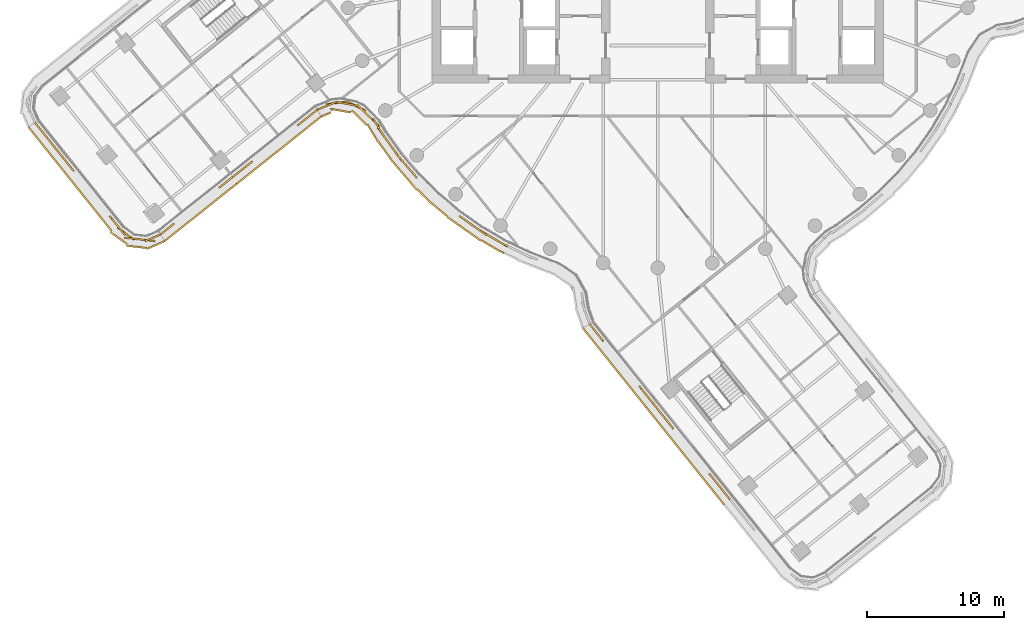
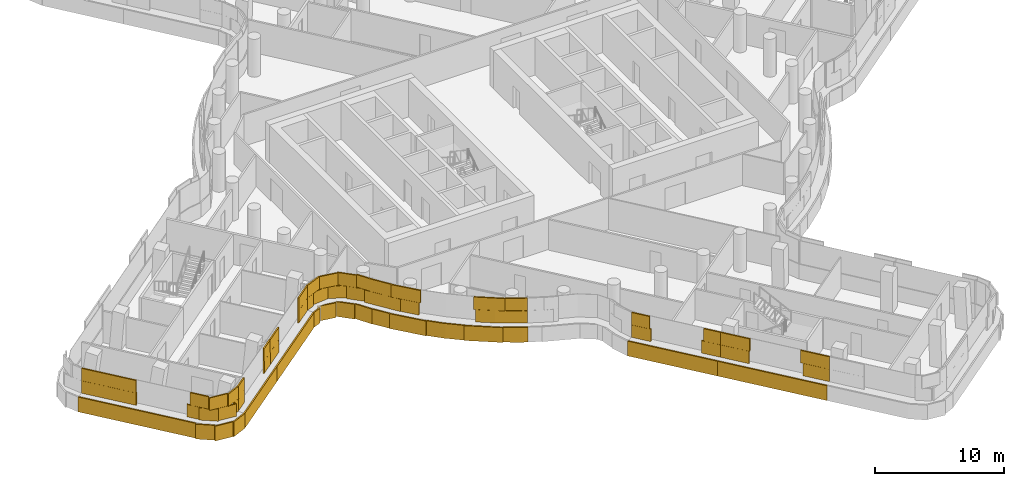
# One storey, part 25 of 31: 6 coverings.
"""IFC4 building model written with IfcOpenShell, lengths in metres."""

import ifcopenshell
import ifcopenshell.guid

model = None  # the IFC model being written
_history = None  # IfcOwnerHistory: only IFC2X3 demands one
_inside = {}  # id of a spatial element -> (the spatial element, [elements in it])
_under = {}  # id of a project, library or spatial element -> (it, [spatial elements below it])
_declared = {}  # id of a project -> (the project, [libraries it declares])
_typed = {}  # id of a type object -> (the type object, [elements of that type])
_made_of = {}  # id of a material, layer set ... -> (it, [elements and type objects made of it])


def new_model(schema):
    """Start an empty IFC model of exactly this schema.

    Asked for "IFC4X3", IfcOpenShell would pick the latest addendum, in which some entities
    have other attributes; the version numbers below select the first issue.
    IFC2X3 requires an IfcOwnerHistory on every rooted entity: one is made here for all.
    """
    global model, _history
    if schema == "IFC4X3":
        model = ifcopenshell.file(schema_version=(4, 3, 0, 0))
    else:
        model = ifcopenshell.file(schema=schema)
    _inside.clear()
    _under.clear()
    _declared.clear()
    _typed.clear()
    _made_of.clear()
    _history = None
    if model.schema == "IFC2X3":
        org = make("IfcOrganization", Name="unknown")
        user = make(
            "IfcPersonAndOrganization",
            ThePerson=make("IfcPerson", FamilyName="unknown"),
            TheOrganization=org,
        )
        app = make(
            "IfcApplication",
            ApplicationDeveloper=org,
            Version="unknown",
            ApplicationFullName="unknown",
            ApplicationIdentifier="unknown",
        )
        _history = make(
            "IfcOwnerHistory",
            OwningUser=user,
            OwningApplication=app,
            ChangeAction="ADDED",
            CreationDate=0,
        )
    return model


def make(cls, **values):
    """One entity of the class cls with the attributes given. An attribute that is None is left unset."""
    return model.create_entity(
        cls, **{name: value for name, value in values.items() if value is not None}
    )


def rooted(cls, **values):
    """An entity with a GlobalId (a new one), such as an element, a storey or a relation."""
    return make(cls, GlobalId=ifcopenshell.guid.new(), OwnerHistory=_history, **values)


def si_unit(unit_type, name, prefix=None):
    """IfcSIUnit, for example si_unit("LENGTHUNIT", "METRE", prefix="MILLI")."""
    return make("IfcSIUnit", UnitType=unit_type, Prefix=prefix, Name=name)


def assignment(units):
    """IfcUnitAssignment: the units of a project."""
    return None if units is None else make("IfcUnitAssignment", Units=units)


def point(xyz):
    """IfcCartesianPoint."""
    return None if xyz is None else make("IfcCartesianPoint", Coordinates=xyz)


def direction(xyz):
    """IfcDirection."""
    return None if xyz is None else make("IfcDirection", DirectionRatios=xyz)


def frame(location, z_axis=None, x_axis=None):
    """IfcAxis2Placement3D, a coordinate frame: its origin and axes. An axis left out is left unset."""
    return make(
        "IfcAxis2Placement3D",
        Location=point(location),
        Axis=direction(z_axis),
        RefDirection=direction(x_axis),
    )


def frame_2d(location, x_axis=None):
    """IfcAxis2Placement2D, a coordinate frame in the plane: its origin and x axis."""
    return make(
        "IfcAxis2Placement2D", Location=point(location), RefDirection=direction(x_axis)
    )


def origin():
    """The frame at (0, 0, 0) with its axes left unset."""
    return frame((0.0, 0.0, 0.0))


def origin_2d():
    """The frame at (0, 0) in the plane with its x axis left unset."""
    return frame_2d((0.0, 0.0))


def place(relative_to, where):
    """IfcLocalPlacement: puts the frame where relative to a parent placement (None: the world)."""
    return make(
        "IfcLocalPlacement", PlacementRelTo=relative_to, RelativePlacement=where
    )


def context(
    kind, dimensions, precision=None, world=None, true_north=None, identifier=None
):
    """IfcGeometricRepresentationContext, for example the 3D "Model" context."""
    return make(
        "IfcGeometricRepresentationContext",
        ContextIdentifier=identifier,
        ContextType=kind,
        CoordinateSpaceDimension=dimensions,
        Precision=precision,
        WorldCoordinateSystem=world,
        TrueNorth=true_north,
    )


def subcontext(parent, identifier, kind, view, scale=None):
    """IfcGeometricRepresentationSubContext, for example "Body" below "Model"."""
    return make(
        "IfcGeometricRepresentationSubContext",
        ContextIdentifier=identifier,
        ContextType=kind,
        ParentContext=parent,
        TargetScale=scale,
        TargetView=view,
    )


def project(units=None, contexts=None):
    """IfcProject with its units and contexts."""
    return rooted(
        "IfcProject",
        Name="project",
        RepresentationContexts=contexts,
        UnitsInContext=assignment(units),
    )


def spatial(cls, under=None, at=None, **own):
    """A site, building, storey or space (cls), placed at a placement, below another one or the project."""
    s = rooted(cls, ObjectPlacement=at, **own)
    if under is not None:
        _under.setdefault(under.id(), (under, []))[1].append(s)
    return s


def profile(cls, at=None, kind="AREA", **sizes):
    """A parametric profile (cls). Its sizes go by their IFC names, for example OverallWidth=200.0."""
    return make(cls, ProfileType=kind, Position=at, **sizes)


def rectangle(**sizes):
    """IfcRectangleProfileDef."""
    return profile("IfcRectangleProfileDef", **sizes)


def extrude(swept, where, along, depth):
    """IfcExtrudedAreaSolid: the profile swept, set in the frame where, extruded along a direction by depth."""
    return make(
        "IfcExtrudedAreaSolid",
        SweptArea=swept,
        Position=where,
        ExtrudedDirection=direction(along),
        Depth=depth,
    )


def shape(context_of_items, identifier, shape_type, items):
    """IfcShapeRepresentation: the items that make up one representation, for example the "Body"."""
    return make(
        "IfcShapeRepresentation",
        ContextOfItems=context_of_items,
        RepresentationIdentifier=identifier,
        RepresentationType=shape_type,
        Items=items,
    )


def material(Name=None, Category=None):
    """IfcMaterial."""
    return make("IfcMaterial", Name=Name, Category=Category)


def layer(
    of_material, thickness, ventilated=None, Name=None, Category=None, Priority=None
):
    """IfcMaterialLayer: one layer of a wall or slab, of a material (None: an air gap)."""
    return make(
        "IfcMaterialLayer",
        Material=of_material,
        LayerThickness=thickness,
        IsVentilated=ventilated,
        Name=Name,
        Category=Category,
        Priority=Priority,
    )


def layer_set(layers, Name=None):
    """IfcMaterialLayerSet."""
    return make("IfcMaterialLayerSet", MaterialLayers=layers, LayerSetName=Name)


def made_of(thing, what):
    """Note that an element or type object is made of a material, layer set ...; save() writes the relation."""
    if what is not None:
        _made_of.setdefault(what.id(), (what, []))[1].append(thing)
    return thing


def type_object(cls, material=None, **own):
    """A type object (cls), such as IfcWallType, which elements share."""
    return made_of(rooted(cls, **own), material)


def element(
    cls,
    number,
    at=None,
    inside=None,
    cuts=None,
    type_object=None,
    material=None,
    context=None,
    identifier="Body",
    shape_type=None,
    held_by="IfcProductDefinitionShape",
    body=None,
    shapes=None,
    **own,
):
    """One element of the class cls, such as IfcWall. Its Tag is "e" and its number.

    at: its placement. inside: the storey or other place that contains it. cuts: it is an
    opening in that element (IfcRelVoidsElement). A single representation is given by context,
    identifier, shape_type and body (its items); several are given by shapes. held_by: the class
    of the entity that holds the representations. save() writes the other relations.
    """
    e = rooted(cls, Tag="e%d" % number, ObjectPlacement=at, **own)
    if body is not None:
        shapes = [shape(context, identifier, shape_type, body)]
    if shapes is not None:
        e.Representation = make(held_by, Representations=shapes)
    if inside is not None:
        _inside.setdefault(inside.id(), (inside, []))[1].append(e)
    if cuts is not None:
        rooted(
            "IfcRelVoidsElement", RelatingBuildingElement=cuts, RelatedOpeningElement=e
        )
    if type_object is not None:
        _typed.setdefault(type_object.id(), (type_object, []))[1].append(e)
    return made_of(e, material)


def aggregate(whole, parts):
    """IfcRelAggregates: a whole, such as a stair, and the parts it consists of."""
    return rooted("IfcRelAggregates", RelatingObject=whole, RelatedObjects=parts)


def save(model, path):
    """Write the relations noted so far, then the file.

    IfcRelAggregates (storeys below a building ...), IfcRelContainedInSpatialStructure (elements
    in a storey), IfcRelDefinesByType, IfcRelAssociatesMaterial and IfcRelDeclares: one each for
    every whole, place, type object, material and project.
    """
    for whole, parts in _under.values():
        aggregate(whole, parts)
    for where, things in _inside.values():
        rooted(
            "IfcRelContainedInSpatialStructure",
            RelatedElements=things,
            RelatingStructure=where,
        )
    for kind, things in _typed.values():
        rooted("IfcRelDefinesByType", RelatedObjects=things, RelatingType=kind)
    for what, things in _made_of.values():
        rooted("IfcRelAssociatesMaterial", RelatedObjects=things, RelatingMaterial=what)
    for by, libraries in _declared.values():
        rooted("IfcRelDeclares", RelatingContext=by, RelatedDefinitions=libraries)
    model.write(path)


model = new_model("IFC4")

# Units and contexts
model_context = context("Model", 3, precision=1e-05, world=origin(), true_north=direction((0.0, 1.0)))
body_context = subcontext(model_context, "Body", "Model", "MODEL_VIEW")
ifc_project = project(units=[si_unit("LENGTHUNIT", "METRE"), si_unit("AREAUNIT", "SQUARE_METRE"), si_unit("VOLUMEUNIT", "CUBIC_METRE"), si_unit("PLANEANGLEUNIT", "RADIAN"), si_unit("MASSUNIT", "GRAM", prefix="KILO")], contexts=[model_context])

# Site, building, storey
site_placement = place(None, origin())
site = spatial("IfcSite", under=ifc_project, at=site_placement, CompositionType="ELEMENT")
building_placement = place(site_placement, origin())
building = spatial("IfcBuilding", under=site, at=building_placement, Name="Tamarind Cross Interchange Tower", CompositionType="ELEMENT")
storey_placement = place(building_placement, frame((0.0, 0.0, 174.25)))
storey = spatial("IfcBuildingStorey", under=building, at=storey_placement, Name="L43", CompositionType="ELEMENT", Elevation=174.25)

# Coverings
ifc_material = material(Name="Terracotta", Category="masonry")
ifc_layer = layer(ifc_material, 0.1201171875)
ifc_layer_set = layer_set([ifc_layer], Name="Terracotta")
covering_type = type_object("IfcCoveringType", Name="Terracotta baguette screen unit", PredefinedType="MOLDING", material=ifc_layer_set)
covering_1_placement = place(storey_placement, origin())
element("IfcCovering", 1, at=covering_1_placement, inside=storey, type_object=covering_type, Name="SCR-L43-00-00", PredefinedType="MOLDING", context=body_context, shape_type="SweptSolid", body=[
    extrude(rectangle(XDim=0.760009765625, YDim=0.1201171875, at=origin_2d()), frame((-45.2958984375, -12.697509765625, 1.404052734375), z_axis=(0.0, 0.0, 1.0), x_axis=(0.624664951388, -0.780892885425, 0.0)), (0.0, 0.0, 1.0), 1.1669921875),
    extrude(rectangle(XDim=1.52001953125, YDim=0.1201171875, at=origin_2d()), frame((-44.59326171875, -13.575927734375, 1.404052734375), z_axis=(0.0, 0.0, 1.0), x_axis=(0.624664951388, -0.780892885425, 0.0)), (0.0, 0.0, 1.0), 1.1669921875),
    extrude(rectangle(XDim=1.52001953125, YDim=0.1201171875, at=origin_2d()), frame((-43.65625, -14.747314453125, 1.404052734375), z_axis=(0.0, 0.0, 1.0), x_axis=(0.624664951388, -0.780892885425, 0.0)), (0.0, 0.0, 1.0), 1.1669921875),
    extrude(rectangle(XDim=0.78466796875, YDim=0.1201171875, at=origin_2d()), frame((-42.94580078125, -15.635498046875, 1.404052734375), z_axis=(0.0, 0.0, 1.0), x_axis=(0.624664951388, -0.780892885425, 0.0)), (0.0, 0.0, 1.0), 1.1669921875),
    extrude(rectangle(XDim=1.03515625, YDim=0.1201171875, at=origin_2d()), frame((-39.760009765625, -19.617919921875, 1.404052734375), z_axis=(0.0, 0.0, 1.0), x_axis=(0.624664951388, -0.780892885425, 0.0)), (0.0, 0.0, 1.0), 1.1669921875),
    extrude(rectangle(XDim=1.52001953125, YDim=0.1201171875, at=origin_2d()), frame((-38.885009765625, -20.51416015625, 1.404052734375), z_axis=(0.0, 0.0, 1.0), x_axis=(0.805489960256, -0.59260941937, 0.0)), (0.0, 0.0, 1.0), 1.1669921875),
    extrude(rectangle(XDim=1.52001953125, YDim=0.1201171875, at=origin_2d()), frame((-37.50634765625, -20.966796875, 1.404052734375), z_axis=(0.0, 0.0, 1.0), x_axis=(0.99387947776, -0.110469831569, 0.0)), (0.0, 0.0, 1.0), 1.1669921875),
    extrude(rectangle(XDim=0.509521484375, YDim=0.1201171875, at=origin_2d()), frame((-36.57666015625, -20.656982421875, 1.404052734375), z_axis=(0.0, 0.0, 1.0), x_axis=(0.915959791825, 0.40127005839, 0.0)), (0.0, 0.0, 1.0), 1.1669921875),
    extrude(rectangle(XDim=1.510009765625, YDim=0.1201171875, at=origin_2d()), frame((-45.061767578125, -12.990234375, 2.5791015625), z_axis=(0.0, 0.0, 1.0), x_axis=(0.624664951388, -0.780892885425, 0.0)), (0.0, 0.0, 1.0), 1.1669921875),
    extrude(rectangle(XDim=1.52001953125, YDim=0.1201171875, at=origin_2d()), frame((-44.124755859375, -14.16162109375, 2.5791015625), z_axis=(0.0, 0.0, 1.0), x_axis=(0.624664951388, -0.780892885425, 0.0)), (0.0, 0.0, 1.0), 1.1669921875),
    extrude(rectangle(XDim=1.52001953125, YDim=0.1201171875, at=origin_2d()), frame((-43.187744140625, -15.3330078125, 2.5791015625), z_axis=(0.0, 0.0, 1.0), x_axis=(0.624664951388, -0.780892885425, 0.0)), (0.0, 0.0, 1.0), 1.1669921875),
    extrude(rectangle(XDim=1.52001953125, YDim=0.1201171875, at=origin_2d()), frame((-39.439697265625, -20.018310546875, 2.5791015625), z_axis=(0.0, 0.0, 1.0), x_axis=(0.624664951388, -0.780892885425, 0.0)), (0.0, 0.0, 1.0), 1.1669921875),
    extrude(rectangle(XDim=1.52001953125, YDim=0.1201171875, at=origin_2d()), frame((-38.251708984375, -20.884033203125, 2.5791015625), z_axis=(0.0, 0.0, 1.0), x_axis=(0.99387947776, -0.110469831569, 0.0)), (0.0, 0.0, 1.0), 1.1669921875),
    extrude(rectangle(XDim=1.259521484375, YDim=0.1201171875, at=origin_2d()), frame((-36.920166015625, -20.807373046875, 2.5791015625), z_axis=(0.0, 0.0, 1.0), x_axis=(0.915959791825, 0.40127005839, 0.0)), (0.0, 0.0, 1.0), 1.1669921875),
    extrude(rectangle(XDim=0.760009765625, YDim=0.1201171875, at=origin_2d()), frame((-45.788330078125, -13.0009765625, 0.00390625), z_axis=(0.0, 0.0, 1.0), x_axis=(0.624664951388, -0.780892885425, 0.0)), (0.0, 0.0, 1.0), 1.39208984375),
    extrude(rectangle(XDim=1.52001953125, YDim=0.1201171875, at=origin_2d()), frame((-45.088623046875, -13.87548828125, 0.00390625), z_axis=(0.0, 0.0, 1.0), x_axis=(0.624664951388, -0.780892885425, 0.0)), (0.0, 0.0, 1.0), 1.39208984375),
    extrude(rectangle(XDim=1.52001953125, YDim=0.1201171875, at=origin_2d()), frame((-44.151611328125, -15.046875, 0.00390625), z_axis=(0.0, 0.0, 1.0), x_axis=(0.624664951388, -0.780892885425, 0.0)), (0.0, 0.0, 1.0), 1.39208984375),
    extrude(rectangle(XDim=1.52001953125, YDim=0.1201171875, at=origin_2d()), frame((-43.214599609375, -16.21826171875, 0.00390625), z_axis=(0.0, 0.0, 1.0), x_axis=(0.624664951388, -0.780892885425, 0.0)), (0.0, 0.0, 1.0), 1.39208984375),
    extrude(rectangle(XDim=1.52001953125, YDim=0.1201171875, at=origin_2d()), frame((-42.277587890625, -17.389404296875, 0.00390625), z_axis=(0.0, 0.0, 1.0), x_axis=(0.624664951388, -0.780892885425, 0.0)), (0.0, 0.0, 1.0), 1.39208984375),
    extrude(rectangle(XDim=1.52001953125, YDim=0.1201171875, at=origin_2d()), frame((-41.340576171875, -18.560791015625, 0.00390625), z_axis=(0.0, 0.0, 1.0), x_axis=(0.624664951388, -0.780892885425, 0.0)), (0.0, 0.0, 1.0), 1.39208984375),
    extrude(rectangle(XDim=1.52001953125, YDim=0.1201171875, at=origin_2d()), frame((-40.403564453125, -19.732177734375, 0.00390625), z_axis=(0.0, 0.0, 1.0), x_axis=(0.624664951388, -0.780892885425, 0.0)), (0.0, 0.0, 1.0), 1.39208984375),
    extrude(rectangle(XDim=1.52001953125, YDim=0.1201171875, at=origin_2d()), frame((-39.407958984375, -20.84228515625, 0.00390625), z_axis=(0.0, 0.0, 1.0), x_axis=(0.805489960256, -0.59260941937, 0.0)), (0.0, 0.0, 1.0), 1.39208984375),
    extrude(rectangle(XDim=1.52001953125, YDim=0.1201171875, at=origin_2d()), frame((-38.100830078125, -21.478271484375, 0.00390625), z_axis=(0.0, 0.0, 1.0), x_axis=(0.99387947776, -0.110469831569, 0.0)), (0.0, 0.0, 1.0), 1.39208984375),
    extrude(rectangle(XDim=1.42626953125, YDim=0.1201171875, at=origin_2d()), frame((-36.702392578125, -21.338623046875, 0.00390625), z_axis=(0.0, 0.0, 1.0), x_axis=(0.915959791825, 0.40127005839, 0.0)), (0.0, 0.0, 1.0), 1.39208984375),
])
covering_2_placement = place(storey_placement, origin())
element("IfcCovering", 2, at=covering_2_placement, inside=storey, type_object=covering_type, Name="SCR-L43-01-00", PredefinedType="MOLDING", context=body_context, shape_type="SweptSolid", body=[
    extrude(rectangle(XDim=0.760009765625, YDim=0.1201171875, at=origin_2d()), frame((-36.054443359375, -20.3232421875, 1.404052734375), z_axis=(0.0, 0.0, 1.0), x_axis=(0.782599684666, 0.622525287487, 0.0)), (0.0, 0.0, 1.0), 1.1669921875),
    extrude(rectangle(XDim=0.5263671875, YDim=0.1201171875, at=origin_2d()), frame((-35.558837890625, -19.92919921875, 1.404052734375), z_axis=(0.0, 0.0, 1.0), x_axis=(0.782599684666, 0.622525287487, 0.0)), (0.0, 0.0, 1.0), 1.1669921875),
    extrude(rectangle(XDim=1.266357421875, YDim=0.1201171875, at=origin_2d()), frame((-31.574462890625, -16.759521484375, 1.404052734375), z_axis=(0.0, 0.0, 1.0), x_axis=(0.782599684666, 0.622525287487, 0.0)), (0.0, 0.0, 1.0), 1.1669921875),
    extrude(rectangle(XDim=1.266357421875, YDim=0.1201171875, at=origin_2d()), frame((-35.852294921875, -20.16259765625, 2.5791015625), z_axis=(0.0, 0.0, 1.0), x_axis=(0.782599684666, 0.622525287487, 0.0)), (0.0, 0.0, 1.0), 1.1669921875),
    extrude(rectangle(XDim=0.543701171875, YDim=0.1201171875, at=origin_2d()), frame((-31.861083984375, -16.98779296875, 2.5791015625), z_axis=(0.0, 0.0, 1.0), x_axis=(0.782599684666, 0.622525287487, 0.0)), (0.0, 0.0, 1.0), 1.1669921875),
    extrude(rectangle(XDim=0.74267578125, YDim=0.1201171875, at=origin_2d()), frame((-31.365478515625, -16.593505859375, 2.5791015625), z_axis=(0.0, 0.0, 1.0), x_axis=(0.782599684666, 0.622525287487, 0.0)), (0.0, 0.0, 1.0), 1.1669921875),
    extrude(rectangle(XDim=0.760009765625, YDim=0.1201171875, at=origin_2d()), frame((-35.751708984375, -20.81591796875, 0.00390625), z_axis=(0.0, 0.0, 1.0), x_axis=(0.782599684666, 0.622525287487, 0.0)), (0.0, 0.0, 1.0), 1.39208984375),
    extrude(rectangle(XDim=1.52001953125, YDim=0.1201171875, at=origin_2d()), frame((-34.875244140625, -20.11865234375, 0.00390625), z_axis=(0.0, 0.0, 1.0), x_axis=(0.782599684666, 0.622525287487, 0.0)), (0.0, 0.0, 1.0), 1.39208984375),
    extrude(rectangle(XDim=1.52001953125, YDim=0.1201171875, at=origin_2d()), frame((-33.701171875, -19.184814453125, 0.00390625), z_axis=(0.0, 0.0, 1.0), x_axis=(0.782599684666, 0.622525287487, 0.0)), (0.0, 0.0, 1.0), 1.39208984375),
    extrude(rectangle(XDim=1.52001953125, YDim=0.1201171875, at=origin_2d()), frame((-32.52734375, -18.251220703125, 0.00390625), z_axis=(0.0, 0.0, 1.0), x_axis=(0.782599684666, 0.622525287487, 0.0)), (0.0, 0.0, 1.0), 1.39208984375),
    extrude(rectangle(XDim=1.48974609375, YDim=0.1201171875, at=origin_2d()), frame((-31.365478515625, -17.326904296875, 0.00390625), z_axis=(0.0, 0.0, 1.0), x_axis=(0.782599684666, 0.622525287487, 0.0)), (0.0, 0.0, 1.0), 1.39208984375),
])
covering_3_placement = place(storey_placement, origin())
element("IfcCovering", 3, at=covering_3_placement, inside=storey, type_object=covering_type, Name="SCR-L43-01-01", PredefinedType="MOLDING", context=body_context, shape_type="SweptSolid", body=[
    extrude(rectangle(XDim=1.52001953125, YDim=0.1201171875, at=origin_2d()), frame((-30.478515625, -15.8876953125, 1.404052734375), z_axis=(0.0, 0.0, 1.0), x_axis=(0.782599684666, 0.622525287487, 0.0)), (0.0, 0.0, 1.0), 1.1669921875),
    extrude(rectangle(XDim=0.34130859375, YDim=0.1201171875, at=origin_2d()), frame((-29.76171875, -15.317626953125, 1.404052734375), z_axis=(0.0, 0.0, 1.0), x_axis=(0.782599684666, 0.622525287487, 0.0)), (0.0, 0.0, 1.0), 1.1669921875),
    extrude(rectangle(XDim=1.478515625, YDim=0.1201171875, at=origin_2d()), frame((-25.7705078125, -12.142822265625, 1.404052734375), z_axis=(0.0, 0.0, 1.0), x_axis=(0.782599684666, 0.622525287487, 0.0)), (0.0, 0.0, 1.0), 1.1669921875),
    extrude(rectangle(XDim=0.39013671875, YDim=0.1201171875, at=origin_2d()), frame((-25.047119140625, -11.5673828125, 1.404052734375), z_axis=(0.0, 0.0, 1.0), x_axis=(0.782599684666, 0.622525287487, 0.0)), (0.0, 0.0, 1.0), 1.1669921875),
    extrude(rectangle(XDim=0.77734375, YDim=0.1201171875, at=origin_2d()), frame((-30.778564453125, -16.126708984375, 2.5791015625), z_axis=(0.0, 0.0, 1.0), x_axis=(0.782599684666, 0.622525287487, 0.0)), (0.0, 0.0, 1.0), 1.1669921875),
    extrude(rectangle(XDim=1.09130859375, YDim=0.1201171875, at=origin_2d()), frame((-30.05517578125, -15.55126953125, 2.5791015625), z_axis=(0.0, 0.0, 1.0), x_axis=(0.782599684666, 0.622525287487, 0.0)), (0.0, 0.0, 1.0), 1.1669921875),
    extrude(rectangle(XDim=0.728515625, YDim=0.1201171875, at=origin_2d()), frame((-26.06396484375, -12.376220703125, 2.5791015625), z_axis=(0.0, 0.0, 1.0), x_axis=(0.782599684666, 0.622525287487, 0.0)), (0.0, 0.0, 1.0), 1.1669921875),
    extrude(rectangle(XDim=1.14013671875, YDim=0.1201171875, at=origin_2d()), frame((-25.340576171875, -11.80078125, 2.5791015625), z_axis=(0.0, 0.0, 1.0), x_axis=(0.782599684666, 0.622525287487, 0.0)), (0.0, 0.0, 1.0), 1.1669921875),
    extrude(rectangle(XDim=0.0302734375, YDim=0.1201171875, at=origin_2d()), frame((-30.7705078125, -16.853759765625, 0.00390625), z_axis=(0.0, 0.0, 1.0), x_axis=(0.782599684666, 0.622525287487, 0.0)), (0.0, 0.0, 1.0), 1.39208984375),
    extrude(rectangle(XDim=1.52001953125, YDim=0.1201171875, at=origin_2d()), frame((-30.1796875, -16.383544921875, 0.00390625), z_axis=(0.0, 0.0, 1.0), x_axis=(0.782599684666, 0.622525287487, 0.0)), (0.0, 0.0, 1.0), 1.39208984375),
    extrude(rectangle(XDim=1.52001953125, YDim=0.1201171875, at=origin_2d()), frame((-29.005615234375, -15.44970703125, 0.00390625), z_axis=(0.0, 0.0, 1.0), x_axis=(0.782599684666, 0.622525287487, 0.0)), (0.0, 0.0, 1.0), 1.39208984375),
    extrude(rectangle(XDim=1.52001953125, YDim=0.1201171875, at=origin_2d()), frame((-27.831787109375, -14.515869140625, 0.00390625), z_axis=(0.0, 0.0, 1.0), x_axis=(0.782599684666, 0.622525287487, 0.0)), (0.0, 0.0, 1.0), 1.39208984375),
    extrude(rectangle(XDim=1.52001953125, YDim=0.1201171875, at=origin_2d()), frame((-26.657958984375, -13.582275390625, 0.00390625), z_axis=(0.0, 0.0, 1.0), x_axis=(0.782599684666, 0.622525287487, 0.0)), (0.0, 0.0, 1.0), 1.39208984375),
    extrude(rectangle(XDim=1.52001953125, YDim=0.1201171875, at=origin_2d()), frame((-25.48388671875, -12.6484375, 0.00390625), z_axis=(0.0, 0.0, 1.0), x_axis=(0.782599684666, 0.622525287487, 0.0)), (0.0, 0.0, 1.0), 1.39208984375),
    extrude(rectangle(XDim=0.38330078125, YDim=0.1201171875, at=origin_2d()), frame((-24.7548828125, -12.068359375, 0.00390625), z_axis=(0.0, 0.0, 1.0), x_axis=(0.782599684666, 0.622525287487, 0.0)), (0.0, 0.0, 1.0), 1.39208984375),
])
covering_4_placement = place(storey_placement, origin())
element("IfcCovering", 4, at=covering_4_placement, inside=storey, type_object=covering_type, Name="SCR-L43-02-00", PredefinedType="MOLDING", context=body_context, shape_type="SweptSolid", body=[
    extrude(rectangle(XDim=0.760009765625, YDim=0.1201171875, at=origin_2d()), frame((-24.551513671875, -11.306640625, 1.404052734375), z_axis=(0.0, 0.0, 1.0), x_axis=(0.924903143472, 0.380202807979, 0.0)), (0.0, 0.0, 1.0), 1.1669921875),
    extrude(rectangle(XDim=1.52001953125, YDim=0.1201171875, at=origin_2d()), frame((-23.4921875, -10.953125, 1.404052734375), z_axis=(0.0, 0.0, 1.0), x_axis=(0.994458056603, 0.105134074673, 0.0)), (0.0, 0.0, 1.0), 1.1669921875),
    extrude(rectangle(XDim=1.52001953125, YDim=0.1201171875, at=origin_2d()), frame((-22.028076171875, -11.19140625, 1.404052734375), z_axis=(0.0, 0.0, 1.0), x_axis=(0.894249420941, -0.447568959097, 0.0)), (0.0, 0.0, 1.0), 1.1669921875),
    extrude(rectangle(XDim=1.52001953125, YDim=0.1201171875, at=origin_2d()), frame((-20.890625, -12.14892578125, 1.404052734375), z_axis=(0.0, 0.0, 1.0), x_axis=(0.714555229744, -0.699579033166, 0.0)), (0.0, 0.0, 1.0), 1.1669921875),
    extrude(rectangle(XDim=1.52001953125, YDim=0.1201171875, at=origin_2d()), frame((-20.0302734375, -13.3671875, 1.404052734375), z_axis=(0.0, 0.0, 1.0), x_axis=(0.584573890505, -0.811340475102, 0.0)), (0.0, 0.0, 1.0), 1.1669921875),
    extrude(rectangle(XDim=1.52001953125, YDim=0.1201171875, at=origin_2d()), frame((-19.1533203125, -14.584228515625, 1.404052734375), z_axis=(0.0, 0.0, 1.0), x_axis=(0.584573890505, -0.811340475102, 0.0)), (0.0, 0.0, 1.0), 1.1669921875),
    extrude(rectangle(XDim=1.52001953125, YDim=0.1201171875, at=origin_2d()), frame((-18.202392578125, -15.742919921875, 1.404052734375), z_axis=(0.0, 0.0, 1.0), x_axis=(0.64957723968, -0.760295606781, 0.0)), (0.0, 0.0, 1.0), 1.1669921875),
    extrude(rectangle(XDim=1.52001953125, YDim=0.1201171875, at=origin_2d()), frame((-13.758056640625, -19.745849609375, 1.404052734375), z_axis=(0.0, 0.0, 1.0), x_axis=(0.816341886298, -0.577568978284, 0.0)), (0.0, 0.0, 1.0), 1.1669921875),
    extrude(rectangle(XDim=1.52001953125, YDim=0.1201171875, at=origin_2d()), frame((-12.5029296875, -20.565185546875, 1.404052734375), z_axis=(0.0, 0.0, 1.0), x_axis=(0.861248933065, -0.508183308752, 0.0)), (0.0, 0.0, 1.0), 1.1669921875),
    extrude(rectangle(XDim=1.003173828125, YDim=0.1201171875, at=origin_2d()), frame((-11.429443359375, -21.198486328125, 1.404052734375), z_axis=(0.0, 0.0, 1.0), x_axis=(0.861248933065, -0.508183308752, 0.0)), (0.0, 0.0, 1.0), 1.1669921875),
    extrude(rectangle(XDim=1.510009765625, YDim=0.1201171875, at=origin_2d()), frame((-24.204833984375, -11.1640625, 2.5791015625), z_axis=(0.0, 0.0, 1.0), x_axis=(0.924903143472, 0.380202807979, 0.0)), (0.0, 0.0, 1.0), 1.1669921875),
    extrude(rectangle(XDim=1.52001953125, YDim=0.1201171875, at=origin_2d()), frame((-22.751708984375, -11.0146484375, 2.5791015625), z_axis=(0.0, 0.0, 1.0), x_axis=(0.98395840604, -0.178398024605, 0.0)), (0.0, 0.0, 1.0), 1.1669921875),
    extrude(rectangle(XDim=1.52001953125, YDim=0.1201171875, at=origin_2d()), frame((-21.4267578125, -11.624267578125, 2.5791015625), z_axis=(0.0, 0.0, 1.0), x_axis=(0.714555229744, -0.699579033166, 0.0)), (0.0, 0.0, 1.0), 1.1669921875),
    extrude(rectangle(XDim=1.52001953125, YDim=0.1201171875, at=origin_2d()), frame((-20.42822265625, -12.73193359375, 2.5791015625), z_axis=(0.0, 0.0, 1.0), x_axis=(0.519183719505, -0.854662661757, 0.0)), (0.0, 0.0, 1.0), 1.1669921875),
    extrude(rectangle(XDim=1.52001953125, YDim=0.1201171875, at=origin_2d()), frame((-19.591796875, -13.9755859375, 2.5791015625), z_axis=(0.0, 0.0, 1.0), x_axis=(0.584573890505, -0.811340475102, 0.0)), (0.0, 0.0, 1.0), 1.1669921875),
    extrude(rectangle(XDim=1.52001953125, YDim=0.1201171875, at=origin_2d()), frame((-18.689453125, -15.1728515625, 2.5791015625), z_axis=(0.0, 0.0, 1.0), x_axis=(0.64957723968, -0.760295606781, 0.0)), (0.0, 0.0, 1.0), 1.1669921875),
    extrude(rectangle(XDim=0.902587890625, YDim=0.1201171875, at=origin_2d()), frame((-17.912353515625, -16.082275390625, 2.5791015625), z_axis=(0.0, 0.0, 1.0), x_axis=(0.64957723968, -0.760295606781, 0.0)), (0.0, 0.0, 1.0), 1.1669921875),
    extrude(rectangle(XDim=0.917236328125, YDim=0.1201171875, at=origin_2d()), frame((-14.128173828125, -19.483642578125, 2.5791015625), z_axis=(0.0, 0.0, 1.0), x_axis=(0.816341886298, -0.577568978284, 0.0)), (0.0, 0.0, 1.0), 1.1669921875),
    extrude(rectangle(XDim=1.52001953125, YDim=0.1201171875, at=origin_2d()), frame((-13.145751953125, -20.178955078125, 2.5791015625), z_axis=(0.0, 0.0, 1.0), x_axis=(0.816341886298, -0.577568978284, 0.0)), (0.0, 0.0, 1.0), 1.1669921875),
    extrude(rectangle(XDim=1.52001953125, YDim=0.1201171875, at=origin_2d()), frame((-11.85693359375, -20.9462890625, 2.5791015625), z_axis=(0.0, 0.0, 1.0), x_axis=(0.861248933065, -0.508183308752, 0.0)), (0.0, 0.0, 1.0), 1.1669921875),
    extrude(rectangle(XDim=0.253173828125, YDim=0.1201171875, at=origin_2d()), frame((-11.094482421875, -21.36669921875, 2.5791015625), z_axis=(0.0, 0.0, 1.0), x_axis=(0.900272776334, -0.435326231914, 0.0)), (0.0, 0.0, 1.0), 1.1669921875),
    extrude(rectangle(XDim=0.760009765625, YDim=0.1201171875, at=origin_2d()), frame((-24.25341796875, -11.8046875, 0.00390625), z_axis=(0.0, 0.0, 1.0), x_axis=(0.924903143472, 0.380202807979, 0.0)), (0.0, 0.0, 1.0), 1.39208984375),
    extrude(rectangle(XDim=1.52001953125, YDim=0.1201171875, at=origin_2d()), frame((-23.18798828125, -11.518798828125, 0.00390625), z_axis=(0.0, 0.0, 1.0), x_axis=(0.98395840604, -0.178398024605, 0.0)), (0.0, 0.0, 1.0), 1.39208984375),
    extrude(rectangle(XDim=1.52001953125, YDim=0.1201171875, at=origin_2d()), frame((-21.82470703125, -12.037841796875, 0.00390625), z_axis=(0.0, 0.0, 1.0), x_axis=(0.714555229744, -0.699579033166, 0.0)), (0.0, 0.0, 1.0), 1.39208984375),
    extrude(rectangle(XDim=1.52001953125, YDim=0.1201171875, at=origin_2d()), frame((-20.84130859375, -13.157470703125, 0.00390625), z_axis=(0.0, 0.0, 1.0), x_axis=(0.519183719505, -0.854662661757, 0.0)), (0.0, 0.0, 1.0), 1.39208984375),
    extrude(rectangle(XDim=1.52001953125, YDim=0.1201171875, at=origin_2d()), frame((-19.99658203125, -14.395751953125, 0.00390625), z_axis=(0.0, 0.0, 1.0), x_axis=(0.584573890505, -0.811340475102, 0.0)), (0.0, 0.0, 1.0), 1.39208984375),
    extrude(rectangle(XDim=1.52001953125, YDim=0.1201171875, at=origin_2d()), frame((-19.089111328125, -15.588623046875, 0.00390625), z_axis=(0.0, 0.0, 1.0), x_axis=(0.64957723968, -0.760295606781, 0.0)), (0.0, 0.0, 1.0), 1.39208984375),
    extrude(rectangle(XDim=1.52001953125, YDim=0.1201171875, at=origin_2d()), frame((-18.11474609375, -16.72900390625, 0.00390625), z_axis=(0.0, 0.0, 1.0), x_axis=(0.64957723968, -0.760295606781, 0.0)), (0.0, 0.0, 1.0), 1.39208984375),
    extrude(rectangle(XDim=1.52001953125, YDim=0.1201171875, at=origin_2d()), frame((-17.0537109375, -17.7890625, 0.00390625), z_axis=(0.0, 0.0, 1.0), x_axis=(0.710143317658, -0.704057148523, 0.0)), (0.0, 0.0, 1.0), 1.39208984375),
    extrude(rectangle(XDim=1.52001953125, YDim=0.1201171875, at=origin_2d()), frame((-15.9384765625, -18.79052734375, 0.00390625), z_axis=(0.0, 0.0, 1.0), x_axis=(0.765858396687, -0.643009266048, 0.0)), (0.0, 0.0, 1.0), 1.39208984375),
    extrude(rectangle(XDim=1.52001953125, YDim=0.1201171875, at=origin_2d()), frame((-14.771728515625, -19.731689453125, 0.00390625), z_axis=(0.0, 0.0, 1.0), x_axis=(0.816341886298, -0.577568978284, 0.0)), (0.0, 0.0, 1.0), 1.39208984375),
    extrude(rectangle(XDim=1.52001953125, YDim=0.1201171875, at=origin_2d()), frame((-13.54736328125, -20.597900390625, 0.00390625), z_axis=(0.0, 0.0, 1.0), x_axis=(0.816341886298, -0.577568978284, 0.0)), (0.0, 0.0, 1.0), 1.39208984375),
    extrude(rectangle(XDim=1.52001953125, YDim=0.1201171875, at=origin_2d()), frame((-12.263671875, -21.372802734375, 0.00390625), z_axis=(0.0, 0.0, 1.0), x_axis=(0.861248933065, -0.508183308752, 0.0)), (0.0, 0.0, 1.0), 1.39208984375),
    extrude(rectangle(XDim=0.420166015625, YDim=0.1201171875, at=origin_2d()), frame((-11.436279296875, -21.8388671875, 0.00390625), z_axis=(0.0, 0.0, 1.0), x_axis=(0.900272776334, -0.435326231914, 0.0)), (0.0, 0.0, 1.0), 1.39208984375),
])
covering_5_placement = place(storey_placement, origin())
element("IfcCovering", 5, at=covering_5_placement, inside=storey, type_object=covering_type, Name="SCR-L43-03-00", PredefinedType="MOLDING", context=body_context, shape_type="SweptSolid", body=[
    extrude(rectangle(XDim=0.760009765625, YDim=0.1201171875, at=origin_2d()), frame((-4.74462890625, -27.4189453125, 1.404052734375), z_axis=(0.0, 0.0, 1.0), x_axis=(0.624664951388, -0.780892885425, 0.0)), (0.0, 0.0, 1.0), 1.1669921875),
    extrude(rectangle(XDim=0.8603515625, YDim=0.1201171875, at=origin_2d()), frame((-4.244873046875, -28.043701171875, 1.404052734375), z_axis=(0.0, 0.0, 1.0), x_axis=(0.624664951388, -0.780892885425, 0.0)), (0.0, 0.0, 1.0), 1.1669921875),
    extrude(rectangle(XDim=0.959716796875, YDim=0.1201171875, at=origin_2d()), frame((-1.05908203125, -32.0263671875, 1.404052734375), z_axis=(0.0, 0.0, 1.0), x_axis=(0.624664951388, -0.780892885425, 0.0)), (0.0, 0.0, 1.0), 1.1669921875),
    extrude(rectangle(XDim=0.66064453125, YDim=0.1201171875, at=origin_2d()), frame((-0.55908203125, -32.651123046875, 1.404052734375), z_axis=(0.0, 0.0, 1.0), x_axis=(0.624664951388, -0.780892885425, 0.0)), (0.0, 0.0, 1.0), 1.1669921875),
    extrude(rectangle(XDim=1.510009765625, YDim=0.1201171875, at=origin_2d()), frame((-4.51025390625, -27.711669921875, 2.5791015625), z_axis=(0.0, 0.0, 1.0), x_axis=(0.624664951388, -0.780892885425, 0.0)), (0.0, 0.0, 1.0), 1.1669921875),
    extrude(rectangle(XDim=1.41064453125, YDim=0.1201171875, at=origin_2d()), frame((-0.79345703125, -32.3583984375, 2.5791015625), z_axis=(0.0, 0.0, 1.0), x_axis=(0.624664951388, -0.780892885425, 0.0)), (0.0, 0.0, 1.0), 1.1669921875),
    extrude(rectangle(XDim=0.760009765625, YDim=0.1201171875, at=origin_2d()), frame((-5.250244140625, -27.70556640625, 0.00390625), z_axis=(0.0, 0.0, 1.0), x_axis=(0.624664951388, -0.780892885425, 0.0)), (0.0, 0.0, 1.0), 1.39208984375),
    extrude(rectangle(XDim=1.52001953125, YDim=0.1201171875, at=origin_2d()), frame((-4.55078125, -28.580078125, 0.00390625), z_axis=(0.0, 0.0, 1.0), x_axis=(0.624664951388, -0.780892885425, 0.0)), (0.0, 0.0, 1.0), 1.39208984375),
    extrude(rectangle(XDim=1.52001953125, YDim=0.1201171875, at=origin_2d()), frame((-3.61376953125, -29.75146484375, 0.00390625), z_axis=(0.0, 0.0, 1.0), x_axis=(0.624664951388, -0.780892885425, 0.0)), (0.0, 0.0, 1.0), 1.39208984375),
    extrude(rectangle(XDim=1.52001953125, YDim=0.1201171875, at=origin_2d()), frame((-2.6767578125, -30.9228515625, 0.00390625), z_axis=(0.0, 0.0, 1.0), x_axis=(0.624664951388, -0.780892885425, 0.0)), (0.0, 0.0, 1.0), 1.39208984375),
    extrude(rectangle(XDim=1.52001953125, YDim=0.1201171875, at=origin_2d()), frame((-1.73974609375, -32.09423828125, 0.00390625), z_axis=(0.0, 0.0, 1.0), x_axis=(0.624664951388, -0.780892885425, 0.0)), (0.0, 0.0, 1.0), 1.39208984375),
    extrude(rectangle(XDim=0.7158203125, YDim=0.1201171875, at=origin_2d()), frame((-1.0537109375, -32.95166015625, 0.00390625), z_axis=(0.0, 0.0, 1.0), x_axis=(0.624664951388, -0.780892885425, 0.0)), (0.0, 0.0, 1.0), 1.39208984375),
])
covering_6_placement = place(storey_placement, origin())
element("IfcCovering", 6, at=covering_6_placement, inside=storey, type_object=covering_type, Name="SCR-L43-03-01", PredefinedType="MOLDING", context=body_context, shape_type="SweptSolid", body=[
    extrude(rectangle(XDim=0.859130859375, YDim=0.1201171875, at=origin_2d()), frame((-0.090576171875, -33.23681640625, 1.404052734375), z_axis=(0.0, 0.0, 1.0), x_axis=(0.624664951388, -0.780892885425, 0.0)), (0.0, 0.0, 1.0), 1.1669921875),
    extrude(rectangle(XDim=1.52001953125, YDim=0.1201171875, at=origin_2d()), frame((0.64306640625, -34.154052734375, 1.404052734375), z_axis=(0.0, 0.0, 1.0), x_axis=(0.624664951388, -0.780892885425, 0.0)), (0.0, 0.0, 1.0), 1.1669921875),
    extrude(rectangle(XDim=1.52001953125, YDim=0.1201171875, at=origin_2d()), frame((4.39111328125, -38.83935546875, 1.404052734375), z_axis=(0.0, 0.0, 1.0), x_axis=(0.624664951388, -0.780892885425, 0.0)), (0.0, 0.0, 1.0), 1.1669921875),
    extrude(rectangle(XDim=0.67138671875, YDim=0.1201171875, at=origin_2d()), frame((5.066162109375, -39.683349609375, 1.404052734375), z_axis=(0.0, 0.0, 1.0), x_axis=(0.624664951388, -0.780892885425, 0.0)), (0.0, 0.0, 1.0), 1.1669921875),
    extrude(rectangle(XDim=0.109130859375, YDim=0.1201171875, at=origin_2d()), frame((-0.324951171875, -32.94384765625, 2.5791015625), z_axis=(0.0, 0.0, 1.0), x_axis=(0.624664951388, -0.780892885425, 0.0)), (0.0, 0.0, 1.0), 1.1669921875),
    extrude(rectangle(XDim=1.52001953125, YDim=0.1201171875, at=origin_2d()), frame((0.174560546875, -33.568359375, 2.5791015625), z_axis=(0.0, 0.0, 1.0), x_axis=(0.624664951388, -0.780892885425, 0.0)), (0.0, 0.0, 1.0), 1.1669921875),
    extrude(rectangle(XDim=0.81591796875, YDim=0.1201171875, at=origin_2d()), frame((0.894775390625, -34.46875, 2.5791015625), z_axis=(0.0, 0.0, 1.0), x_axis=(0.624664951388, -0.780892885425, 0.0)), (0.0, 0.0, 1.0), 1.1669921875),
    extrude(rectangle(XDim=1.00390625, YDim=0.1201171875, at=origin_2d()), frame((4.08056640625, -38.451416015625, 2.5791015625), z_axis=(0.0, 0.0, 1.0), x_axis=(0.624664951388, -0.780892885425, 0.0)), (0.0, 0.0, 1.0), 1.1669921875),
    extrude(rectangle(XDim=1.42138671875, YDim=0.1201171875, at=origin_2d()), frame((4.831787109375, -39.390380859375, 2.5791015625), z_axis=(0.0, 0.0, 1.0), x_axis=(0.624664951388, -0.780892885425, 0.0)), (0.0, 0.0, 1.0), 1.1669921875),
    extrude(rectangle(XDim=0.80419921875, YDim=0.1201171875, at=origin_2d()), frame((-0.5791015625, -33.545166015625, 0.00390625), z_axis=(0.0, 0.0, 1.0), x_axis=(0.624664951388, -0.780892885425, 0.0)), (0.0, 0.0, 1.0), 1.39208984375),
    extrude(rectangle(XDim=1.52001953125, YDim=0.1201171875, at=origin_2d()), frame((0.13427734375, -34.436767578125, 0.00390625), z_axis=(0.0, 0.0, 1.0), x_axis=(0.624664951388, -0.780892885425, 0.0)), (0.0, 0.0, 1.0), 1.39208984375),
    extrude(rectangle(XDim=1.52001953125, YDim=0.1201171875, at=origin_2d()), frame((1.0712890625, -35.608154296875, 0.00390625), z_axis=(0.0, 0.0, 1.0), x_axis=(0.624664951388, -0.780892885425, 0.0)), (0.0, 0.0, 1.0), 1.39208984375),
    extrude(rectangle(XDim=1.52001953125, YDim=0.1201171875, at=origin_2d()), frame((2.00830078125, -36.779541015625, 0.00390625), z_axis=(0.0, 0.0, 1.0), x_axis=(0.624664951388, -0.780892885425, 0.0)), (0.0, 0.0, 1.0), 1.39208984375),
    extrude(rectangle(XDim=1.52001953125, YDim=0.1201171875, at=origin_2d()), frame((2.9453125, -37.950927734375, 0.00390625), z_axis=(0.0, 0.0, 1.0), x_axis=(0.624664951388, -0.780892885425, 0.0)), (0.0, 0.0, 1.0), 1.39208984375),
    extrude(rectangle(XDim=1.52001953125, YDim=0.1201171875, at=origin_2d()), frame((3.88232421875, -39.122314453125, 0.00390625), z_axis=(0.0, 0.0, 1.0), x_axis=(0.624664951388, -0.780892885425, 0.0)), (0.0, 0.0, 1.0), 1.39208984375),
    extrude(rectangle(XDim=0.79345703125, YDim=0.1201171875, at=origin_2d()), frame((4.592529296875, -40.010009765625, 0.00390625), z_axis=(0.0, 0.0, 1.0), x_axis=(0.624664951388, -0.780892885425, 0.0)), (0.0, 0.0, 1.0), 1.39208984375),
])

save(model, "model.ifc")
